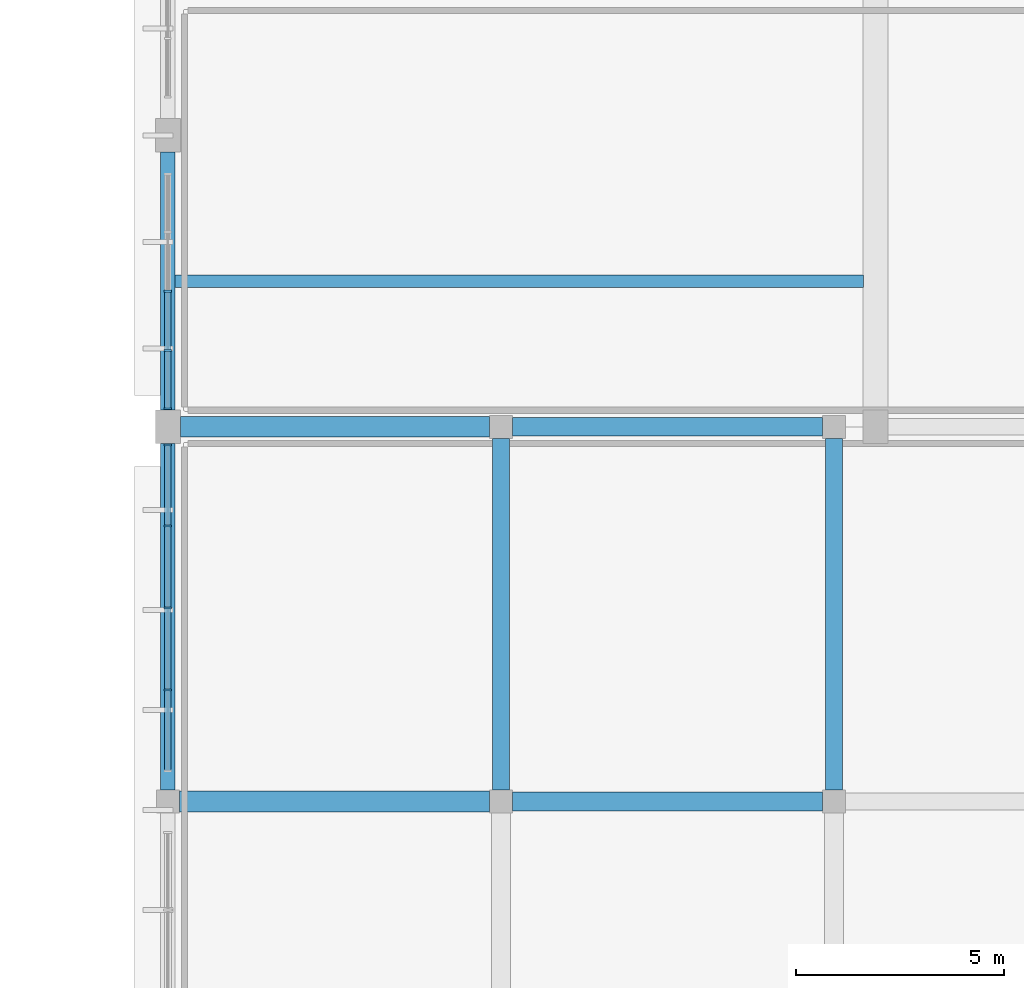
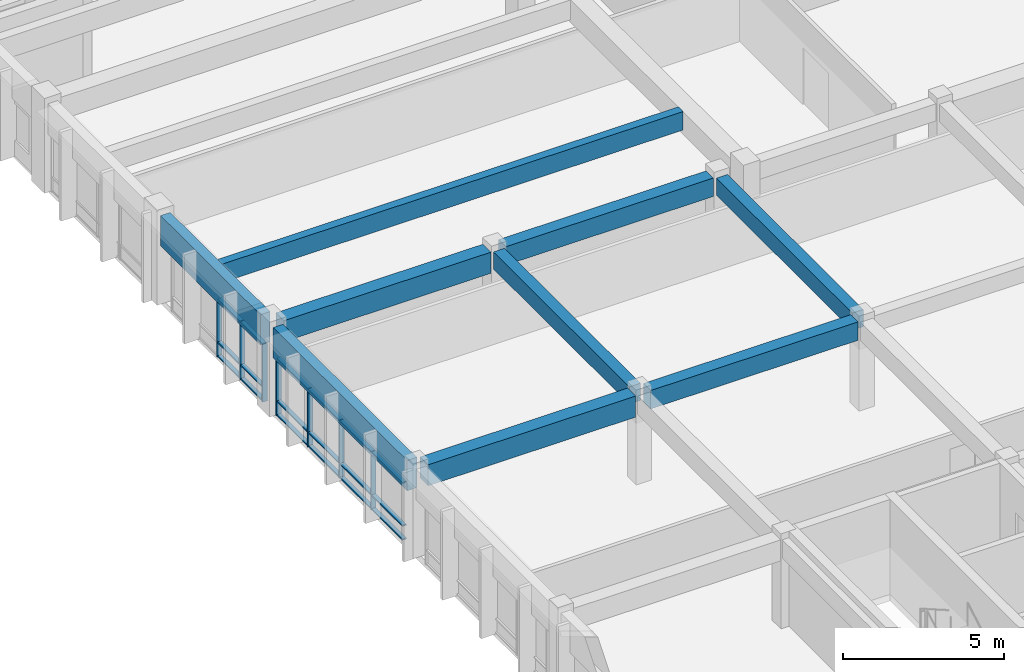
# One storey, part 13 of 77: 25 members, 9 beams, 2 elements without a shape of their own.
"""IFC4 building model written with IfcOpenShell, lengths in metres."""

from ifc_helpers import new_model, si_unit, direction, frame, origin, origin_2d, place, context, subcontext, project, spatial, rectangle, extrude, material, material_profile, profile_set, type_object, element, aggregate, save


model = new_model("IFC4")

# Units and contexts
model_context = context("Model", 3, precision=1e-05, world=origin(), true_north=direction((0.0, 1.0)))
body_context = subcontext(model_context, "Body", "Model", "MODEL_VIEW")
ifc_project = project(units=[si_unit("LENGTHUNIT", "METRE"), si_unit("AREAUNIT", "SQUARE_METRE"), si_unit("VOLUMEUNIT", "CUBIC_METRE"), si_unit("PLANEANGLEUNIT", "RADIAN"), si_unit("MASSUNIT", "GRAM", prefix="KILO")], contexts=[model_context])

# Site, building, storey
site_placement = place(None, origin())
site = spatial("IfcSite", under=ifc_project, at=site_placement, CompositionType="ELEMENT")
building_placement = place(site_placement, origin())
building = spatial("IfcBuilding", under=site, at=building_placement, Name="Larkveld Mobility Hub", CompositionType="ELEMENT")
storey_placement = place(building_placement, frame((0.0, 0.0, 12.0)))
storey = spatial("IfcBuildingStorey", under=building, at=storey_placement, Name="L03", CompositionType="ELEMENT", Elevation=12.0)

# Beams
ifc_material_1 = material(Name="Precast concrete C50/60", Category="concrete")
ifc_material_profile_1 = material_profile(ifc_material_1, rectangle(XDim=0.300048828125, YDim=0.699951171875, at=origin_2d()), Name="PC DT 300x700")
ifc_profile_set_1 = profile_set([ifc_material_profile_1], Name="Precast concrete C50/60")
beam_type_1 = type_object("IfcBeamType", Name="BM-DT3070", PredefinedType="T_BEAM", material=ifc_profile_set_1)
beam_1_placement = place(storey_placement, frame((112.169921875, 31.5, 3.02001953125), z_axis=(1.0, 0.0, 0.0), x_axis=(0.0, 1.0, 0.0)))
element("IfcBeam", 1, at=beam_1_placement, inside=storey, type_object=beam_type_1, Name="Precast Double-Tee Stem L03-1109", PredefinedType="T_BEAM", context=body_context, shape_type="SweptSolid", body=[
    extrude(rectangle(XDim=0.300048828125, YDim=0.699951171875, at=origin_2d()), origin(), (0.0, 0.0, 1.0), 16.53515625),
])
ifc_material_2 = material(Name="Concrete C40/50", Category="concrete")
ifc_material_profile_2 = material_profile(ifc_material_2, rectangle(XDim=0.39990234375, YDim=0.64990234375, at=origin_2d()), Name="RC BM 400x650")
ifc_profile_set_2 = profile_set([ifc_material_profile_2], Name="Concrete C40/50")
beam_type_2 = type_object("IfcBeamType", Name="BM-RC4065", PredefinedType="BEAM", material=ifc_profile_set_2)
for number, where, z_axis, x_axis, name in (
    (2, (120.0, 19.27490234375, 3.034912109375), (0.0, 1.0, 0.0), (-1.0, 0.0, 0.0), "Primary N-S Girder L03-0810"),
    (3, (128.0, 19.27490234375, 3.034912109375), (0.0, 1.0, 0.0), (-1.0, 0.0, 0.0), "Primary N-S Girder L03-0813"),
):
    element("IfcBeam", number, at=place(storey_placement, frame(where, z_axis=z_axis, x_axis=x_axis)), inside=storey, type_object=beam_type_2, Name=name, PredefinedType="BEAM", context=body_context, shape_type="SweptSolid", body=[
        extrude(rectangle(XDim=0.39990234375, YDim=0.64990234375, at=origin_2d()), origin(), (0.0, 0.0, 1.0), 8.4501953125),
    ])
ifc_material_profile_3 = material_profile(ifc_material_2, rectangle(XDim=0.449951171875, YDim=0.699951171875, at=origin_2d()), Name="RC BM 450x700")
ifc_profile_set_3 = profile_set([ifc_material_profile_3], Name="Concrete C40/50")
beam_type_3 = type_object("IfcBeamType", Name="BM-RC4570", PredefinedType="BEAM", material=ifc_profile_set_3)
for number, where, z_axis, x_axis, name in (
    (4, (120.27490234375, 19.0, 3.010009765625), (1.0, 0.0, 0.0), (0.0, 1.0, 0.0), "Primary E-W Girder L03-0707"),
    (5, (120.27490234375, 28.0, 3.010009765625), (1.0, 0.0, 0.0), (0.0, 1.0, 0.0), "Primary E-W Girder L03-0714"),
):
    element("IfcBeam", number, at=place(storey_placement, frame(where, z_axis=z_axis, x_axis=x_axis)), inside=storey, type_object=beam_type_3, Name=name, PredefinedType="BEAM", context=body_context, shape_type="SweptSolid", body=[
        extrude(rectangle(XDim=0.449951171875, YDim=0.699951171875, at=origin_2d()), origin(), (0.0, 0.0, 1.0), 7.4501953125),
    ])
ifc_material_profile_4 = material_profile(ifc_material_2, rectangle(XDim=0.5, YDim=0.800048828125, at=origin_2d()), Name="RC BM 500x800")
ifc_profile_set_4 = profile_set([ifc_material_profile_4], Name="Concrete C40/50")
beam_type_4 = type_object("IfcBeamType", Name="BM-RC5080", PredefinedType="BEAM", material=ifc_profile_set_4)
beam_2_placement = place(storey_placement, frame((112.27490234375, 19.0, 2.9599609375), z_axis=(1.0, 0.0, 0.0), x_axis=(0.0, 1.0, 0.0)))
element("IfcBeam", 6, at=beam_2_placement, inside=storey, type_object=beam_type_4, Name="Primary E-W Girder L03-0706", PredefinedType="BEAM", context=body_context, shape_type="SweptSolid", body=[
    extrude(rectangle(XDim=0.5, YDim=0.800048828125, at=origin_2d()), origin(), (0.0, 0.0, 1.0), 7.4501953125),
])
beam_3_placement = place(storey_placement, frame((112.300048828125, 28.0, 2.9599609375), z_axis=(1.0, 0.0, 0.0), x_axis=(0.0, 1.0, 0.0)))
element("IfcBeam", 7, at=beam_3_placement, inside=storey, type_object=beam_type_4, Name="Primary E-W Girder L03-0713", PredefinedType="BEAM", context=body_context, shape_type="SweptSolid", body=[
    extrude(rectangle(XDim=0.5, YDim=0.800048828125, at=origin_2d()), origin(), (0.0, 0.0, 1.0), 7.425048828125),
])
ifc_material_profile_5 = material_profile(ifc_material_1, rectangle(XDim=0.35009765625, YDim=1.14990234375, at=origin_2d()), Name="PC SP 350x1150")
ifc_profile_set_5 = profile_set([ifc_material_profile_5], Name="Precast concrete C50/60")
beam_type_5 = type_object("IfcBeamType", Name="BM-SP35115", PredefinedType="SPANDREL", material=ifc_profile_set_5)
beam_4_placement = place(storey_placement, frame((112.0, 19.27490234375, 2.784912109375), z_axis=(0.0, 1.0, 0.0), x_axis=(-1.0, 0.0, 0.0)))
element("IfcBeam", 8, at=beam_4_placement, inside=storey, type_object=beam_type_5, Name="Primary N-S Girder L03-0797", PredefinedType="SPANDREL", context=body_context, shape_type="SweptSolid", body=[
    extrude(rectangle(XDim=0.35009765625, YDim=1.14990234375, at=origin_2d()), origin(), (0.0, 0.0, 1.0), 8.3251953125),
])
beam_5_placement = place(storey_placement, frame((112.0, 28.39990234375, 2.784912109375), z_axis=(0.0, 1.0, 0.0), x_axis=(-1.0, 0.0, 0.0)))
element("IfcBeam", 9, at=beam_5_placement, inside=storey, type_object=beam_type_5, Name="Primary N-S Girder L03-0798", PredefinedType="SPANDREL", context=body_context, shape_type="SweptSolid", body=[
    extrude(rectangle(XDim=0.35009765625, YDim=1.14990234375, at=origin_2d()), origin(), (0.0, 0.0, 1.0), 6.2001953125),
])

# Curtain wall, members
ifc_material_3 = material(Name="Anodised aluminium 6063-T6", Category="aluminium")
curtain_wall_type_1 = type_object("IfcCurtainWallType", Name="CW-SYS-02", PredefinedType="NOTDEFINED", material=ifc_material_3)
curtain_wall_1_placement = place(storey_placement, origin())
curtain_wall_1 = element("IfcCurtainWall", 10, at=curtain_wall_1_placement, inside=storey, type_object=curtain_wall_type_1, Name="Public Passage East Service Facade L03 CW-122", PredefinedType="NOTDEFINED")
ifc_material_profile_6 = material_profile(ifc_material_3, rectangle(XDim=0.050048828125, YDim=0.179931640625, at=origin_2d()), Name="ALU MULL 50x180")
ifc_profile_set_6 = profile_set([ifc_material_profile_6], Name="Anodised aluminium 6063-T6")
member_type_1 = type_object("IfcMemberType", Name="CW-MUL-02", PredefinedType="MULLION", material=ifc_profile_set_6)
member_1_placement = place(storey_placement, frame((112.0, 27.56494140625, -0.001953125), z_axis=(0.0, 0.0, 1.0), x_axis=(0.0, -1.0, 0.0)))
member_1 = element("IfcMember", 11, at=member_1_placement, type_object=member_type_1, Name="CW02 mullion 1", PredefinedType="MULLION", context=body_context, shape_type="SweptSolid", body=[
    extrude(rectangle(XDim=0.050048828125, YDim=0.179931640625, at=origin_2d()), origin(), (0.0, 0.0, 1.0), 2.2119140625),
])
member_2_placement = place(storey_placement, frame((112.0, 25.62109375, -0.001953125), z_axis=(0.0, 0.0, 1.0), x_axis=(0.0, -1.0, 0.0)))
member_2 = element("IfcMember", 12, at=member_2_placement, type_object=member_type_1, Name="CW02 mullion 2", PredefinedType="MULLION", context=body_context, shape_type="SweptSolid", body=[
    extrude(rectangle(XDim=0.050048828125, YDim=0.179931640625, at=origin_2d()), origin(), (0.0, 0.0, 1.0), 2.2119140625),
])
member_3_placement = place(storey_placement, frame((112.0, 23.652099609375, -0.001953125), z_axis=(0.0, 0.0, 1.0), x_axis=(0.0, -1.0, 0.0)))
member_3 = element("IfcMember", 13, at=member_3_placement, type_object=member_type_1, Name="CW02 mullion 3", PredefinedType="MULLION", context=body_context, shape_type="SweptSolid", body=[
    extrude(rectangle(XDim=0.050048828125, YDim=0.179931640625, at=origin_2d()), origin(), (0.0, 0.0, 1.0), 2.2119140625),
])
member_4_placement = place(storey_placement, frame((112.0, 21.68408203125, -0.001953125), z_axis=(0.0, 0.0, 1.0), x_axis=(0.0, -1.0, 0.0)))
member_4 = element("IfcMember", 14, at=member_4_placement, type_object=member_type_1, Name="CW02 mullion 4", PredefinedType="MULLION", context=body_context, shape_type="SweptSolid", body=[
    extrude(rectangle(XDim=0.050048828125, YDim=0.179931640625, at=origin_2d()), origin(), (0.0, 0.0, 1.0), 2.2119140625),
])

curtain_wall_type_2 = type_object("IfcCurtainWallType", Name="CW-SYS-10", PredefinedType="NOTDEFINED", material=ifc_material_3)
curtain_wall_2_placement = place(storey_placement, origin())
curtain_wall_2 = element("IfcCurtainWall", 15, at=curtain_wall_2_placement, inside=storey, type_object=curtain_wall_type_2, Name="EV Wing West Glazing L03 CW-142", PredefinedType="NOTDEFINED")
member_5_placement = place(storey_placement, frame((112.0, 31.2548828125, -0.001953125), z_axis=(0.0, 0.0, 1.0), x_axis=(0.0, -1.0, 0.0)))
member_5 = element("IfcMember", 16, at=member_5_placement, type_object=member_type_1, Name="CW10 mullion 3", PredefinedType="MULLION", context=body_context, shape_type="SweptSolid", body=[
    extrude(rectangle(XDim=0.050048828125, YDim=0.179931640625, at=origin_2d()), origin(), (0.0, 0.0, 1.0), 2.2119140625),
])
member_6_placement = place(storey_placement, frame((112.0, 29.8330078125, -0.001953125), z_axis=(0.0, 0.0, 1.0), x_axis=(0.0, -1.0, 0.0)))
member_6 = element("IfcMember", 17, at=member_6_placement, type_object=member_type_1, Name="CW10 mullion 4", PredefinedType="MULLION", context=body_context, shape_type="SweptSolid", body=[
    extrude(rectangle(XDim=0.050048828125, YDim=0.179931640625, at=origin_2d()), origin(), (0.0, 0.0, 1.0), 2.2119140625),
])
member_7_placement = place(storey_placement, frame((112.0, 28.43505859375, -0.001953125), z_axis=(0.0, 0.0, 1.0), x_axis=(0.0, -1.0, 0.0)))
member_7 = element("IfcMember", 18, at=member_7_placement, type_object=member_type_1, Name="CW10 mullion 5", PredefinedType="MULLION", context=body_context, shape_type="SweptSolid", body=[
    extrude(rectangle(XDim=0.050048828125, YDim=0.179931640625, at=origin_2d()), origin(), (0.0, 0.0, 1.0), 2.2119140625),
])

# Member
ifc_material_profile_7 = material_profile(ifc_material_3, rectangle(XDim=0.14990234375, YDim=0.050048828125, at=origin_2d()), Name="ALU TRAN 50x150")
ifc_profile_set_7 = profile_set([ifc_material_profile_7], Name="Anodised aluminium 6063-T6")
member_type_2 = type_object("IfcMemberType", Name="CW-TRN-02", PredefinedType="USERDEFINED", material=ifc_profile_set_7)
member_8_placement = place(storey_placement, frame((112.0, 27.554931640625, 0.030029296875), z_axis=(0.0, -1.0, 0.0), x_axis=(1.0, 0.0, 0.0)))
member_8 = element("IfcMember", 19, at=member_8_placement, type_object=member_type_2, Name="CW02 transom 1.1", ObjectType="TRANSOM", PredefinedType="USERDEFINED", context=body_context, shape_type="SweptSolid", body=[
    extrude(rectangle(XDim=0.14990234375, YDim=0.050048828125, at=origin_2d()), origin(), (0.0, 0.0, 1.0), 1.9189453125),
])

member_9_placement = place(storey_placement, frame((112.0, 27.554931640625, 0.552001953125), z_axis=(0.0, -1.0, 0.0), x_axis=(1.0, 0.0, 0.0)))
member_9 = element("IfcMember", 20, at=member_9_placement, type_object=member_type_2, Name="CW02 transom 1.2", ObjectType="TRANSOM", PredefinedType="USERDEFINED", context=body_context, shape_type="SweptSolid", body=[
    extrude(rectangle(XDim=0.14990234375, YDim=0.050048828125, at=origin_2d()), origin(), (0.0, 0.0, 1.0), 1.9189453125),
])

member_10_placement = place(storey_placement, frame((112.0, 27.554931640625, 2.177978515625), z_axis=(0.0, -1.0, 0.0), x_axis=(1.0, 0.0, 0.0)))
member_10 = element("IfcMember", 21, at=member_10_placement, type_object=member_type_2, Name="CW02 transom 1.3", ObjectType="TRANSOM", PredefinedType="USERDEFINED", context=body_context, shape_type="SweptSolid", body=[
    extrude(rectangle(XDim=0.14990234375, YDim=0.050048828125, at=origin_2d()), origin(), (0.0, 0.0, 1.0), 1.9189453125),
])

member_11_placement = place(storey_placement, frame((112.0, 25.60595703125, 0.030029296875), z_axis=(0.0, -1.0, 0.0), x_axis=(1.0, 0.0, 0.0)))
member_11 = element("IfcMember", 22, at=member_11_placement, type_object=member_type_2, Name="CW02 transom 2.1", ObjectType="TRANSOM", PredefinedType="USERDEFINED", context=body_context, shape_type="SweptSolid", body=[
    extrude(rectangle(XDim=0.14990234375, YDim=0.050048828125, at=origin_2d()), origin(), (0.0, 0.0, 1.0), 1.93798828125),
])

member_12_placement = place(storey_placement, frame((112.0, 25.60595703125, 0.552001953125), z_axis=(0.0, -1.0, 0.0), x_axis=(1.0, 0.0, 0.0)))
member_12 = element("IfcMember", 23, at=member_12_placement, type_object=member_type_2, Name="CW02 transom 2.2", ObjectType="TRANSOM", PredefinedType="USERDEFINED", context=body_context, shape_type="SweptSolid", body=[
    extrude(rectangle(XDim=0.14990234375, YDim=0.050048828125, at=origin_2d()), origin(), (0.0, 0.0, 1.0), 1.93798828125),
])

member_13_placement = place(storey_placement, frame((112.0, 25.60595703125, 2.177978515625), z_axis=(0.0, -1.0, 0.0), x_axis=(1.0, 0.0, 0.0)))
member_13 = element("IfcMember", 24, at=member_13_placement, type_object=member_type_2, Name="CW02 transom 2.3", ObjectType="TRANSOM", PredefinedType="USERDEFINED", context=body_context, shape_type="SweptSolid", body=[
    extrude(rectangle(XDim=0.14990234375, YDim=0.050048828125, at=origin_2d()), origin(), (0.0, 0.0, 1.0), 1.93798828125),
])

member_14_placement = place(storey_placement, frame((112.0, 23.636962890625, 0.030029296875), z_axis=(0.0, -1.0, 0.0), x_axis=(1.0, 0.0, 0.0)))
member_14 = element("IfcMember", 25, at=member_14_placement, type_object=member_type_2, Name="CW02 transom 3.1", ObjectType="TRANSOM", PredefinedType="USERDEFINED", context=body_context, shape_type="SweptSolid", body=[
    extrude(rectangle(XDim=0.14990234375, YDim=0.050048828125, at=origin_2d()), origin(), (0.0, 0.0, 1.0), 1.93798828125),
])

member_15_placement = place(storey_placement, frame((112.0, 23.636962890625, 0.552001953125), z_axis=(0.0, -1.0, 0.0), x_axis=(1.0, 0.0, 0.0)))
member_15 = element("IfcMember", 26, at=member_15_placement, type_object=member_type_2, Name="CW02 transom 3.2", ObjectType="TRANSOM", PredefinedType="USERDEFINED", context=body_context, shape_type="SweptSolid", body=[
    extrude(rectangle(XDim=0.14990234375, YDim=0.050048828125, at=origin_2d()), origin(), (0.0, 0.0, 1.0), 1.93798828125),
])

member_16_placement = place(storey_placement, frame((112.0, 23.636962890625, 2.177978515625), z_axis=(0.0, -1.0, 0.0), x_axis=(1.0, 0.0, 0.0)))
member_16 = element("IfcMember", 27, at=member_16_placement, type_object=member_type_2, Name="CW02 transom 3.3", ObjectType="TRANSOM", PredefinedType="USERDEFINED", context=body_context, shape_type="SweptSolid", body=[
    extrude(rectangle(XDim=0.14990234375, YDim=0.050048828125, at=origin_2d()), origin(), (0.0, 0.0, 1.0), 1.93798828125),
])

member_17_placement = place(storey_placement, frame((112.0, 21.6689453125, 0.030029296875), z_axis=(0.0, -1.0, 0.0), x_axis=(1.0, 0.0, 0.0)))
member_17 = element("IfcMember", 28, at=member_17_placement, type_object=member_type_2, Name="CW02 transom 4.1", ObjectType="TRANSOM", PredefinedType="USERDEFINED", context=body_context, shape_type="SweptSolid", body=[
    extrude(rectangle(XDim=0.14990234375, YDim=0.050048828125, at=origin_2d()), origin(), (0.0, 0.0, 1.0), 1.9189453125),
])

member_18_placement = place(storey_placement, frame((112.0, 21.6689453125, 0.552001953125), z_axis=(0.0, -1.0, 0.0), x_axis=(1.0, 0.0, 0.0)))
member_18 = element("IfcMember", 29, at=member_18_placement, type_object=member_type_2, Name="CW02 transom 4.2", ObjectType="TRANSOM", PredefinedType="USERDEFINED", context=body_context, shape_type="SweptSolid", body=[
    extrude(rectangle(XDim=0.14990234375, YDim=0.050048828125, at=origin_2d()), origin(), (0.0, 0.0, 1.0), 1.9189453125),
])

member_19_placement = place(storey_placement, frame((112.0, 21.6689453125, 2.177978515625), z_axis=(0.0, -1.0, 0.0), x_axis=(1.0, 0.0, 0.0)))
member_19 = element("IfcMember", 30, at=member_19_placement, type_object=member_type_2, Name="CW02 transom 4.3", ObjectType="TRANSOM", PredefinedType="USERDEFINED", context=body_context, shape_type="SweptSolid", body=[
    extrude(rectangle(XDim=0.14990234375, YDim=0.050048828125, at=origin_2d()), origin(), (0.0, 0.0, 1.0), 1.9189453125),
])

aggregate(curtain_wall_1, [member_1, member_2, member_3, member_4, member_8, member_9, member_10, member_11, member_12, member_13, member_14, member_15, member_16, member_17, member_18, member_19])

member_20_placement = place(storey_placement, frame((112.0, 31.239990234375, 0.030029296875), z_axis=(0.0, -1.0, 0.0), x_axis=(1.0, 0.0, 0.0)))
member_20 = element("IfcMember", 31, at=member_20_placement, type_object=member_type_2, Name="CW10 transom 3.1", ObjectType="TRANSOM", PredefinedType="USERDEFINED", context=body_context, shape_type="SweptSolid", body=[
    extrude(rectangle(XDim=0.14990234375, YDim=0.050048828125, at=origin_2d()), origin(), (0.0, 0.0, 1.0), 1.39208984375),
])

member_21_placement = place(storey_placement, frame((112.0, 31.239990234375, 0.552001953125), z_axis=(0.0, -1.0, 0.0), x_axis=(1.0, 0.0, 0.0)))
member_21 = element("IfcMember", 32, at=member_21_placement, type_object=member_type_2, Name="CW10 transom 3.2", ObjectType="TRANSOM", PredefinedType="USERDEFINED", context=body_context, shape_type="SweptSolid", body=[
    extrude(rectangle(XDim=0.14990234375, YDim=0.050048828125, at=origin_2d()), origin(), (0.0, 0.0, 1.0), 1.39208984375),
])

member_22_placement = place(storey_placement, frame((112.0, 31.239990234375, 2.177978515625), z_axis=(0.0, -1.0, 0.0), x_axis=(1.0, 0.0, 0.0)))
member_22 = element("IfcMember", 33, at=member_22_placement, type_object=member_type_2, Name="CW10 transom 3.3", ObjectType="TRANSOM", PredefinedType="USERDEFINED", context=body_context, shape_type="SweptSolid", body=[
    extrude(rectangle(XDim=0.14990234375, YDim=0.050048828125, at=origin_2d()), origin(), (0.0, 0.0, 1.0), 1.39208984375),
])

member_23_placement = place(storey_placement, frame((112.0, 29.818115234375, 0.030029296875), z_axis=(0.0, -1.0, 0.0), x_axis=(1.0, 0.0, 0.0)))
member_23 = element("IfcMember", 34, at=member_23_placement, type_object=member_type_2, Name="CW10 transom 4.1", ObjectType="TRANSOM", PredefinedType="USERDEFINED", context=body_context, shape_type="SweptSolid", body=[
    extrude(rectangle(XDim=0.14990234375, YDim=0.050048828125, at=origin_2d()), origin(), (0.0, 0.0, 1.0), 1.373046875),
])

member_24_placement = place(storey_placement, frame((112.0, 29.818115234375, 0.552001953125), z_axis=(0.0, -1.0, 0.0), x_axis=(1.0, 0.0, 0.0)))
member_24 = element("IfcMember", 35, at=member_24_placement, type_object=member_type_2, Name="CW10 transom 4.2", ObjectType="TRANSOM", PredefinedType="USERDEFINED", context=body_context, shape_type="SweptSolid", body=[
    extrude(rectangle(XDim=0.14990234375, YDim=0.050048828125, at=origin_2d()), origin(), (0.0, 0.0, 1.0), 1.373046875),
])

member_25_placement = place(storey_placement, frame((112.0, 29.818115234375, 2.177978515625), z_axis=(0.0, -1.0, 0.0), x_axis=(1.0, 0.0, 0.0)))
member_25 = element("IfcMember", 36, at=member_25_placement, type_object=member_type_2, Name="CW10 transom 4.3", ObjectType="TRANSOM", PredefinedType="USERDEFINED", context=body_context, shape_type="SweptSolid", body=[
    extrude(rectangle(XDim=0.14990234375, YDim=0.050048828125, at=origin_2d()), origin(), (0.0, 0.0, 1.0), 1.373046875),
])

aggregate(curtain_wall_2, [member_5, member_6, member_7, member_20, member_21, member_22, member_23, member_24, member_25])

save(model, "model.ifc")
